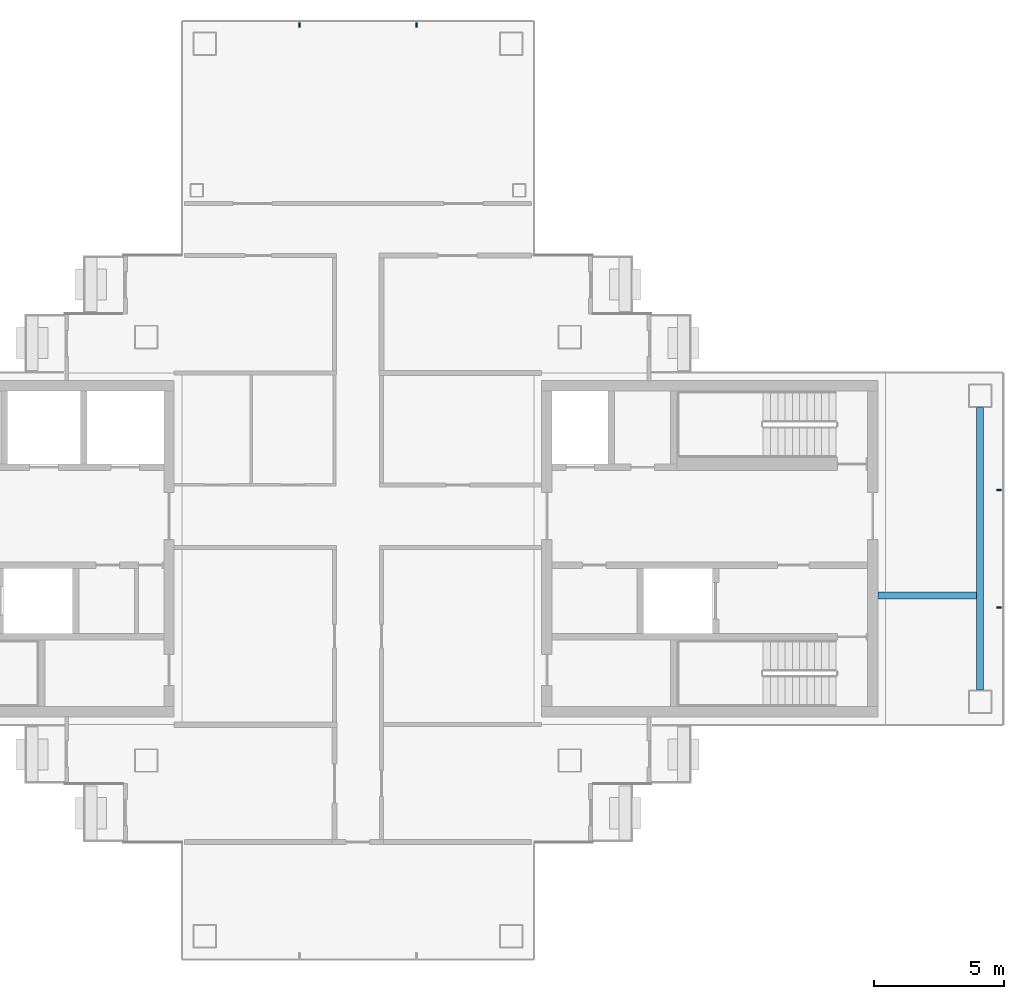
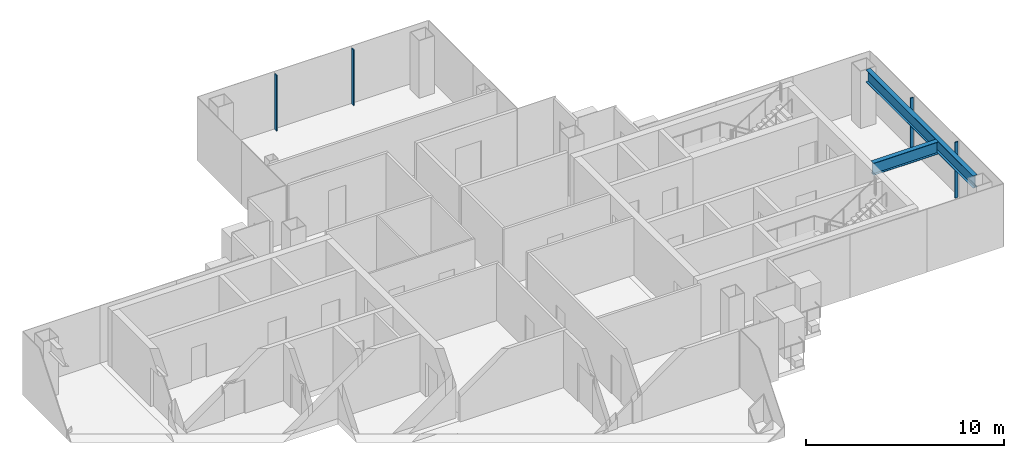
# One storey, part 6 of 17: 4 members, 2 beams, 2 elements without a shape of their own.
"""IFC4 building model written with IfcOpenShell, lengths in metres."""

from ifc_helpers import new_model, si_unit, direction, frame, origin, origin_2d, place, context, subcontext, project, spatial, rectangle, i_section, extrude, material, layer, layer_set, material_profile, profile_set, type_object, element, aggregate, save


model = new_model("IFC4")

# Units and contexts
model_context = context("Model", 3, precision=1e-05, world=origin(), true_north=direction((0.0, 1.0)))
body_context = subcontext(model_context, "Body", "Model", "MODEL_VIEW")
ifc_project = project(units=[si_unit("LENGTHUNIT", "METRE"), si_unit("AREAUNIT", "SQUARE_METRE"), si_unit("VOLUMEUNIT", "CUBIC_METRE"), si_unit("PLANEANGLEUNIT", "RADIAN"), si_unit("MASSUNIT", "GRAM", prefix="KILO")], contexts=[model_context])

# Site, building, storey
site_placement = place(None, origin())
site = spatial("IfcSite", under=ifc_project, at=site_placement, CompositionType="ELEMENT")
building_placement = place(site_placement, origin())
building = spatial("IfcBuilding", under=site, at=building_placement, Name="Shamsa Quay Exchange Towers", CompositionType="ELEMENT")
storey_placement = place(building_placement, frame((0.0, 0.0, 230.39990234375)))
storey = spatial("IfcBuildingStorey", under=building, at=storey_placement, Name="L55", CompositionType="ELEMENT", Elevation=230.39990234375)

# Curtain wall, members
ifc_material_1 = material(Name="Aluminium EN AW-6063 T6, black anodised", Category="aluminium")
ifc_layer = layer(ifc_material_1, 0.280029296875)
ifc_layer_set = layer_set([ifc_layer], Name="CW-1 UNITISED VISION GLASS")
curtain_wall_type = type_object("IfcCurtainWallType", Name="CW-1 UNITISED VISION GLASS", PredefinedType="NOTDEFINED", material=ifc_layer_set)
curtain_wall_1_placement = place(storey_placement, origin())
curtain_wall_1 = element("IfcCurtainWall", 1, at=curtain_wall_1_placement, inside=storey, type_object=curtain_wall_type, Name="CW1 T2-END-V- L55", PredefinedType="NOTDEFINED")
ifc_material_profile_1 = material_profile(ifc_material_1, rectangle(XDim=0.179931640625, YDim=0.06005859375, at=origin_2d()), Name="MU60x180")
ifc_profile_set_1 = profile_set([ifc_material_profile_1], Name="Aluminium EN AW-6063 T6, black anodised")
member_type = type_object("IfcMemberType", Name="CW1 MULLION 60x180", PredefinedType="MULLION", material=ifc_profile_set_1)
member_1_placement = place(storey_placement, frame((58.35009765625, -2.25, 0.0), z_axis=(0.0, 0.0, 1.0), x_axis=(-1.0, 0.0, 0.0)))
member_1 = element("IfcMember", 2, at=member_1_placement, type_object=member_type, Name="CW1 mullion", PredefinedType="MULLION", context=body_context, shape_type="SweptSolid", body=[
    extrude(rectangle(XDim=0.179931640625, YDim=0.06005859375, at=origin_2d()), origin(), (0.0, 0.0, 1.0), 3.4501953125),
])
member_2_placement = place(storey_placement, frame((58.35009765625, 2.25, 0.0), z_axis=(0.0, 0.0, 1.0), x_axis=(-1.0, 0.0, 0.0)))
member_2 = element("IfcMember", 3, at=member_2_placement, type_object=member_type, Name="CW1 mullion", PredefinedType="MULLION", context=body_context, shape_type="SweptSolid", body=[
    extrude(rectangle(XDim=0.179931640625, YDim=0.06005859375, at=origin_2d()), origin(), (0.0, 0.0, 1.0), 3.4501953125),
])
aggregate(curtain_wall_1, [member_1, member_2])

curtain_wall_2_placement = place(storey_placement, origin())
curtain_wall_2 = element("IfcCurtainWall", 4, at=curtain_wall_2_placement, inside=storey, type_object=curtain_wall_type, Name="CW1 T2-END-U+ L55", PredefinedType="NOTDEFINED")
member_3_placement = place(storey_placement, frame((36.0, 20.10009765625, 0.0), z_axis=(0.0, 0.0, 1.0), x_axis=(0.0, -1.0, 0.0)))
member_3 = element("IfcMember", 5, at=member_3_placement, type_object=member_type, Name="CW1 mullion", PredefinedType="MULLION", context=body_context, shape_type="SweptSolid", body=[
    extrude(rectangle(XDim=0.179931640625, YDim=0.06005859375, at=origin_2d()), origin(), (0.0, 0.0, 1.0), 3.4501953125),
])
member_4_placement = place(storey_placement, frame((31.5, 20.10009765625, 0.0), z_axis=(0.0, 0.0, 1.0), x_axis=(0.0, -1.0, 0.0)))
member_4 = element("IfcMember", 6, at=member_4_placement, type_object=member_type, Name="CW1 mullion", PredefinedType="MULLION", context=body_context, shape_type="SweptSolid", body=[
    extrude(rectangle(XDim=0.179931640625, YDim=0.06005859375, at=origin_2d()), origin(), (0.0, 0.0, 1.0), 3.4501953125),
])
aggregate(curtain_wall_2, [member_3, member_4])

# Beams
ifc_material_2 = material(Name="Steel S355", Category="steel")
ifc_material_profile_2 = material_profile(ifc_material_2, i_section(OverallWidth=0.26611328125, OverallDepth=0.7578125, WebThickness=0.013916015625, FlangeThickness=0.019287109375, at=origin_2d()), Name="W30x108")
ifc_profile_set_2 = profile_set([ifc_material_profile_2], Name="Steel S355")
beam_type = type_object("IfcBeamType", Name="End-zone beam W30x108", PredefinedType="BEAM", material=ifc_profile_set_2)
beam_1_placement = place(storey_placement, frame((57.625, -5.425048828125, 3.171142578125), z_axis=(0.0, 1.0, 0.0), x_axis=(-1.0, 0.0, 0.0)))
element("IfcBeam", 7, at=beam_1_placement, inside=storey, type_object=beam_type, Name="End beam T2 V- end zone L55", PredefinedType="BEAM", context=body_context, shape_type="SweptSolid", body=[
    extrude(i_section(OverallWidth=0.26611328125, OverallDepth=0.7578125, WebThickness=0.013916015625, FlangeThickness=0.019287109375, at=origin_2d()), origin(), (0.0, 0.0, 1.0), 10.85009765625),
])
beam_2_placement = place(storey_placement, frame((53.699951171875, -1.800048828125, 3.171142578125), z_axis=(1.0, 0.0, 0.0), x_axis=(0.0, 1.0, 0.0)))
element("IfcBeam", 8, at=beam_2_placement, inside=storey, type_object=beam_type, Name="Spine beam T2 V- end zone L55", PredefinedType="BEAM", context=body_context, shape_type="SweptSolid", body=[
    extrude(i_section(OverallWidth=0.26611328125, OverallDepth=0.7578125, WebThickness=0.013916015625, FlangeThickness=0.019287109375, at=origin_2d()), origin(), (0.0, 0.0, 1.0), 3.7919921875),
])

save(model, "model.ifc")
